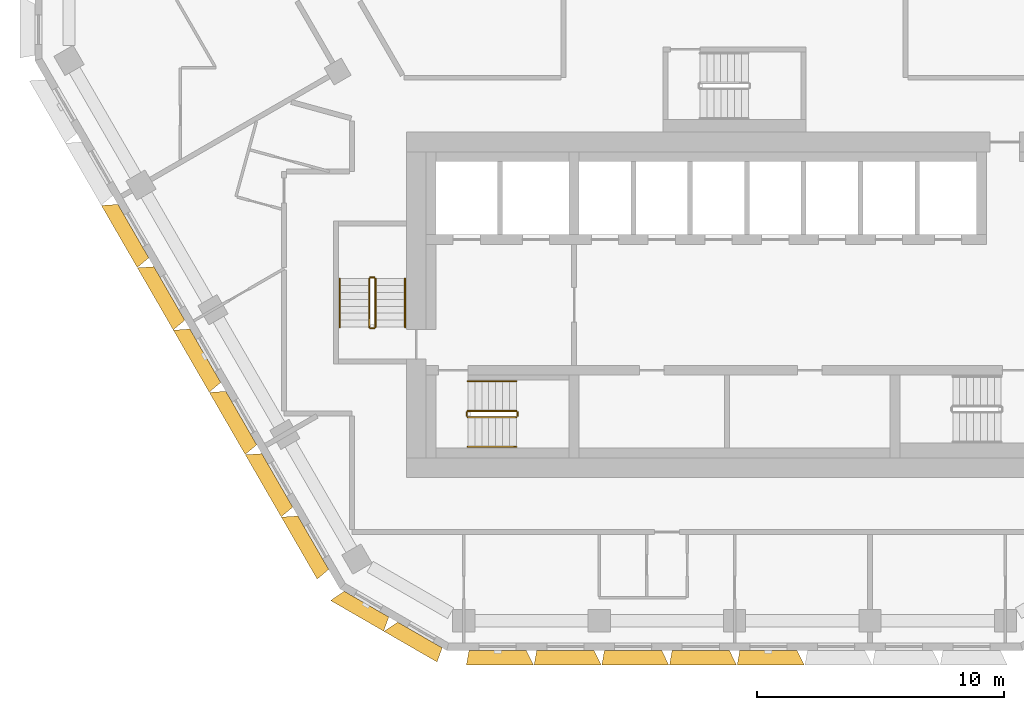
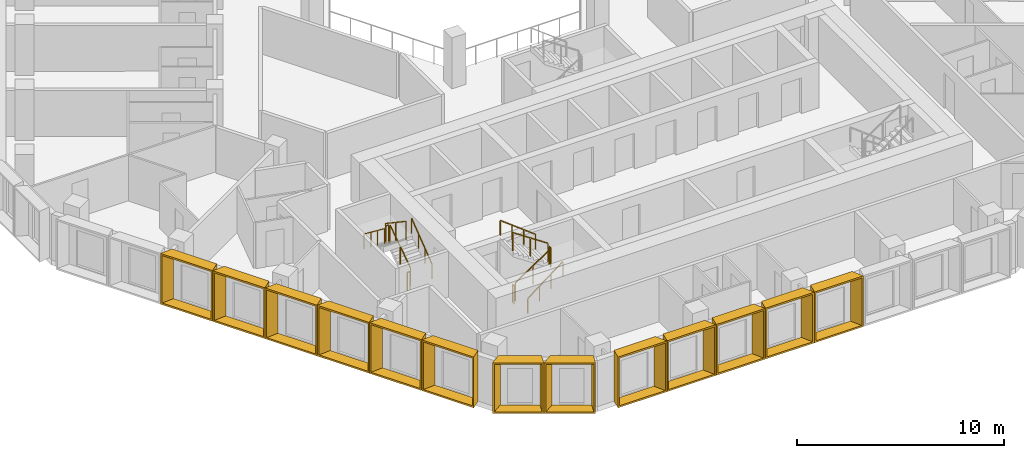
# One storey, part 14 of 17: 13 shading devices, 12 railings.
"""IFC4 building model written with IfcOpenShell, lengths in metres."""

from ifc_helpers import new_model, entity, si_unit, direction, frame, origin, origin_2d, place, context, subcontext, project, spatial, rectangle, extrude, source, transform, mapped, material, type_object, type_shapes, element, save


model = new_model("IFC4")

# Units and contexts
model_context = context("Model", 3, precision=1e-05, world=origin(), true_north=direction((0.0, 1.0)))
body_context = subcontext(model_context, "Body", "Model", "MODEL_VIEW")
ifc_project = project(units=[si_unit("LENGTHUNIT", "METRE"), si_unit("AREAUNIT", "SQUARE_METRE"), si_unit("VOLUMEUNIT", "CUBIC_METRE"), si_unit("PLANEANGLEUNIT", "RADIAN"), si_unit("MASSUNIT", "GRAM", prefix="KILO")], contexts=[model_context])

# Site, building, storey
site_placement = place(None, origin())
site = spatial("IfcSite", under=ifc_project, at=site_placement, CompositionType="ELEMENT")
building_placement = place(site_placement, origin())
building = spatial("IfcBuilding", under=site, at=building_placement, Name="Beryl Residences", CompositionType="ELEMENT")
storey_placement = place(building_placement, frame((0.0, 0.0, 120.60009765625)))
storey = spatial("IfcBuildingStorey", under=building, at=storey_placement, Name="L36", CompositionType="ELEMENT", Elevation=120.60009765625)

# Shading devices
ifc_material_1 = material(Name="Aluminium pale anodised", Category="aluminium")
shading_device_type_1 = type_object("IfcShadingDeviceType", Name="FR250-60B OUTER SKIN frame 600 mm deep, splay 26/10 deg, 2500 x 3000 mm cell", PredefinedType="USERDEFINED", material=ifc_material_1)
cartesian_point_1 = entity("IfcCartesianPoint", [-1.04052734375, 0.0])
cartesian_point_2 = entity("IfcCartesianPoint", [-0.951416015625, 0.10009765625])
cartesian_point_3 = entity("IfcCartesianPoint", [-1.333251953125, 0.0])
cartesian_point_4 = entity("IfcCartesianPoint", [-1.244140625, 0.10009765625])
shared_shape_1 = source(origin(), body_context, "Body", "SweptSolid", [
    entity("IfcExtrudedAreaSolidTapered", entity("IfcArbitraryProfileDefWithVoids", "AREA", None, entity("IfcPolyline", [cartesian_point_1, entity("IfcCartesianPoint", [1.04052734375, 0.0]), entity("IfcCartesianPoint", [1.04052734375, 3.0]), entity("IfcCartesianPoint", [-1.04052734375, 3.0]), cartesian_point_1]), [entity("IfcPolyline", [cartesian_point_2, entity("IfcCartesianPoint", [0.959228515625, 0.10009765625]), entity("IfcCartesianPoint", [0.959228515625, 2.89990234375]), entity("IfcCartesianPoint", [-0.951416015625, 2.89990234375]), cartesian_point_2])]), entity("IfcAxis2Placement3D", entity("IfcCartesianPoint", [0.0, 0.0, 0.0]), entity("IfcDirection", [0.0, 1.0, 0.0]), entity("IfcDirection", [-1.0, 0.0, 0.0])), entity("IfcDirection", [0.0, 0.0, 1.0]), 0.60009765625, entity("IfcArbitraryProfileDefWithVoids", "AREA", None, entity("IfcPolyline", [cartesian_point_3, entity("IfcCartesianPoint", [1.146240234375, 0.0]), entity("IfcCartesianPoint", [1.146240234375, 3.0]), entity("IfcCartesianPoint", [-1.333251953125, 3.0]), cartesian_point_3]), [entity("IfcPolyline", [cartesian_point_4, entity("IfcCartesianPoint", [1.06494140625, 0.10009765625]), entity("IfcCartesianPoint", [1.06494140625, 2.89990234375]), entity("IfcCartesianPoint", [-1.244140625, 2.89990234375]), cartesian_point_4])])),
])
type_shapes(shading_device_type_1, [shared_shape_1])
for number, where, z_axis, x_axis, name in (
    (1, (-14.909912109375, -24.125, 0.0), (0.0, 0.0, 1.0), (-0.866025403784, 0.5, 0.0), "FR250-60B frame L36 SW-S 1"),
    (2, (-12.7451171875, -25.375, 0.0), (0.0, 0.0, 1.0), (-0.866025403784, 0.5, 0.0), "FR250-60B frame L36 SW-S 2"),
):
    element("IfcShadingDevice", number, at=place(storey_placement, frame(where, z_axis=z_axis, x_axis=x_axis)), inside=storey, type_object=shading_device_type_1, Name=name, ObjectType="OUTER SKIN", PredefinedType="USERDEFINED", context=body_context, shape_type="MappedRepresentation", body=[
        mapped(shared_shape_1, transform((0.0, 0.0, 0.0))),
    ])
ifc_material_2 = material(Name="Aluminium pale anodised", Category="aluminium")
shading_device_type_2 = type_object("IfcShadingDeviceType", Name="FR274-60C OUTER SKIN frame 600 mm deep, splay 10/26 deg, 2740 x 3000 mm cell", PredefinedType="USERDEFINED", material=ifc_material_2)
cartesian_point_5 = entity("IfcCartesianPoint", [-1.160400390625, 0.0])
cartesian_point_6 = entity("IfcCartesianPoint", [-1.079345703125, 0.10009765625])
cartesian_point_7 = entity("IfcCartesianPoint", [-1.266357421875, 0.0])
cartesian_point_8 = entity("IfcCartesianPoint", [-1.18505859375, 0.10009765625])
shared_shape_2 = source(origin(), body_context, "Body", "SweptSolid", [
    entity("IfcExtrudedAreaSolidTapered", entity("IfcArbitraryProfileDefWithVoids", "AREA", None, entity("IfcPolyline", [cartesian_point_5, entity("IfcCartesianPoint", [1.160400390625, 0.0]), entity("IfcCartesianPoint", [1.160400390625, 3.0]), entity("IfcCartesianPoint", [-1.160400390625, 3.0]), cartesian_point_5]), [entity("IfcPolyline", [cartesian_point_6, entity("IfcCartesianPoint", [1.071533203125, 0.10009765625]), entity("IfcCartesianPoint", [1.071533203125, 2.89990234375]), entity("IfcCartesianPoint", [-1.079345703125, 2.89990234375]), cartesian_point_6])]), entity("IfcAxis2Placement3D", entity("IfcCartesianPoint", [0.0, 0.0, 0.0]), entity("IfcDirection", [0.0, 1.0, 0.0]), entity("IfcDirection", [-1.0, 0.0, 0.0])), entity("IfcDirection", [0.0, 0.0, 1.0]), 0.60009765625, entity("IfcArbitraryProfileDefWithVoids", "AREA", None, entity("IfcPolyline", [cartesian_point_7, entity("IfcCartesianPoint", [1.453125, 0.0]), entity("IfcCartesianPoint", [1.453125, 3.0]), entity("IfcCartesianPoint", [-1.266357421875, 3.0]), cartesian_point_7]), [entity("IfcPolyline", [cartesian_point_8, entity("IfcCartesianPoint", [1.364013671875, 0.10009765625]), entity("IfcCartesianPoint", [1.364013671875, 2.89990234375]), entity("IfcCartesianPoint", [-1.18505859375, 2.89990234375]), cartesian_point_8])])),
])
type_shapes(shading_device_type_2, [shared_shape_2])
for number, where, z_axis, x_axis, name in (
    (3, (-9.597900390625, -26.0, 0.0), (0.0, 0.0, 1.0), (-1.0, 0.0, 0.0), "FR274-60C frame L36 S 1"),
    (4, (-6.85498046875, -26.0, 0.0), (0.0, 0.0, 1.0), (-1.0, 0.0, 0.0), "FR274-60C frame L36 S 2"),
    (5, (-4.113037109375, -26.0, 0.0), (0.0, 0.0, 1.0), (-1.0, 0.0, 0.0), "FR274-60C frame L36 S 3"),
    (6, (-1.3701171875, -26.0, 0.0), (0.0, 0.0, 1.0), (-1.0, 0.0, 0.0), "FR274-60C frame L36 S 4"),
    (7, (1.3720703125, -26.0, 0.0), (0.0, 0.0, 1.0), (-1.0, 0.0, 0.0), "FR274-60C frame L36 S 5"),
):
    element("IfcShadingDevice", number, at=place(storey_placement, frame(where, z_axis=z_axis, x_axis=x_axis)), inside=storey, type_object=shading_device_type_2, Name=name, ObjectType="OUTER SKIN", PredefinedType="USERDEFINED", context=body_context, shape_type="MappedRepresentation", body=[
        mapped(shared_shape_2, transform((0.0, 0.0, 0.0))),
    ])
ifc_material_3 = material(Name="Aluminium pale anodised", Category="aluminium")
shading_device_type_3 = type_object("IfcShadingDeviceType", Name="FR292-60B OUTER SKIN frame 600 mm deep, splay 26/10 deg, 2920 x 3000 mm cell", PredefinedType="USERDEFINED", material=ifc_material_3)
cartesian_point_9 = entity("IfcCartesianPoint", [-1.25048828125, 0.0])
cartesian_point_10 = entity("IfcCartesianPoint", [-1.161376953125, 0.10009765625])
cartesian_point_11 = entity("IfcCartesianPoint", [-1.543212890625, 0.0])
cartesian_point_12 = entity("IfcCartesianPoint", [-1.4541015625, 0.10009765625])
shared_shape_3 = source(origin(), body_context, "Body", "SweptSolid", [
    entity("IfcExtrudedAreaSolidTapered", entity("IfcArbitraryProfileDefWithVoids", "AREA", None, entity("IfcPolyline", [cartesian_point_9, entity("IfcCartesianPoint", [1.25048828125, 0.0]), entity("IfcCartesianPoint", [1.25048828125, 3.0]), entity("IfcCartesianPoint", [-1.25048828125, 3.0]), cartesian_point_9]), [entity("IfcPolyline", [cartesian_point_10, entity("IfcCartesianPoint", [1.169189453125, 0.10009765625]), entity("IfcCartesianPoint", [1.169189453125, 2.89990234375]), entity("IfcCartesianPoint", [-1.161376953125, 2.89990234375]), cartesian_point_10])]), entity("IfcAxis2Placement3D", entity("IfcCartesianPoint", [0.0, 0.0, 0.0]), entity("IfcDirection", [0.0, 1.0, 0.0]), entity("IfcDirection", [-1.0, 0.0, 0.0])), entity("IfcDirection", [0.0, 0.0, 1.0]), 0.60009765625, entity("IfcArbitraryProfileDefWithVoids", "AREA", None, entity("IfcPolyline", [cartesian_point_11, entity("IfcCartesianPoint", [1.356201171875, 0.0]), entity("IfcCartesianPoint", [1.356201171875, 3.0]), entity("IfcCartesianPoint", [-1.543212890625, 3.0]), cartesian_point_11]), [entity("IfcPolyline", [cartesian_point_12, entity("IfcCartesianPoint", [1.275146484375, 0.10009765625]), entity("IfcCartesianPoint", [1.275146484375, 2.89990234375]), entity("IfcCartesianPoint", [-1.4541015625, 2.89990234375]), cartesian_point_12])])),
])
type_shapes(shading_device_type_3, [shared_shape_3])
for number, where, z_axis, x_axis, name in (
    (8, (-24.35693359375, -9.011962890625, 0.0), (0.0, 0.0, 1.0), (-0.5, 0.866025403784, 0.0), "FR292-60B frame L36 SW 3"),
    (9, (-22.89892578125, -11.537109375, 0.0), (0.0, 0.0, 1.0), (-0.5, 0.866025403784, 0.0), "FR292-60B frame L36 SW 4"),
    (10, (-21.44189453125, -14.06201171875, 0.0), (0.0, 0.0, 1.0), (-0.5, 0.866025403784, 0.0), "FR292-60B frame L36 SW 5"),
    (11, (-19.98388671875, -16.5859375, 0.0), (0.0, 0.0, 1.0), (-0.5, 0.866025403784, 0.0), "FR292-60B frame L36 SW 6"),
    (12, (-18.52587890625, -19.111083984375, 0.0), (0.0, 0.0, 1.0), (-0.5, 0.866025403784, 0.0), "FR292-60B frame L36 SW 7"),
    (13, (-17.068115234375, -21.635986328125, 0.0), (0.0, 0.0, 1.0), (-0.5, 0.866025403784, 0.0), "FR292-60B frame L36 SW 8"),
):
    element("IfcShadingDevice", number, at=place(storey_placement, frame(where, z_axis=z_axis, x_axis=x_axis)), inside=storey, type_object=shading_device_type_3, Name=name, ObjectType="OUTER SKIN", PredefinedType="USERDEFINED", context=body_context, shape_type="MappedRepresentation", body=[
        mapped(shared_shape_3, transform((0.0, 0.0, 0.0))),
    ])

# Railings
ifc_material_4 = material(Name="Stainless steel balustrade with glass infill", Category="steel")
railing_type_1 = type_object("IfcRailingType", Name="SG1 stair guard 1100 mm", PredefinedType="GUARDRAIL", material=ifc_material_4)
railing_1_placement = place(storey_placement, frame((-10.800048828125, -16.550048828125, 0.1875)))
element("IfcRailing", 14, at=railing_1_placement, inside=storey, type_object=railing_type_1, Name="L36 ST-1 stair guard 1", PredefinedType="GUARDRAIL", context=body_context, shape_type="SweptSolid", body=[
    extrude(rectangle(XDim=0.048095703125, YDim=0.048095703125, at=origin_2d()), frame((0.0, 0.0, 1.076171875), z_axis=(0.830902050051, 0.0, 0.556418712142), x_axis=(0.0, 1.0, 0.0)), (0.0, 0.0, 1.0), 2.35888671875),
    extrude(rectangle(XDim=0.0419921875, YDim=0.0419921875, at=origin_2d()), origin(), (0.0, 0.0, 1.0), 1.052001953125),
    extrude(rectangle(XDim=0.0419921875, YDim=0.0419921875, at=origin_2d()), frame((0.97998046875, 0.0, 0.65625)), (0.0, 0.0, 1.0), 1.052001953125),
    extrude(rectangle(XDim=0.0419921875, YDim=0.0419921875, at=origin_2d()), frame((1.9599609375, 0.0, 1.3125)), (0.0, 0.0, 1.0), 1.052001953125),
])
railing_2_placement = place(storey_placement, frame((-8.7900390625, -16.5, 1.5)))
element("IfcRailing", 15, at=railing_2_placement, inside=storey, type_object=railing_type_1, Name="L36 ST-1 stair guard 2", PredefinedType="GUARDRAIL", context=body_context, shape_type="SweptSolid", body=[
    extrude(rectangle(XDim=0.048095703125, YDim=0.048095703125, at=origin_2d()), frame((0.0, 0.0, 1.076171875), z_axis=(0.0, 1.0, 0.0), x_axis=(-1.0, 0.0, 0.0)), (0.0, 0.0, 1.0), 0.14990234375),
    extrude(rectangle(XDim=0.0419921875, YDim=0.0419921875, at=origin_2d()), origin(), (0.0, 0.0, 1.0), 1.052001953125),
    extrude(rectangle(XDim=0.0419921875, YDim=0.0419921875, at=origin_2d()), frame((0.0, 0.14990234375, 0.0)), (0.0, 0.0, 1.0), 1.052001953125),
])
railing_3_placement = place(storey_placement, frame((-8.840087890625, -16.300048828125, 1.6875)))
element("IfcRailing", 16, at=railing_3_placement, inside=storey, type_object=railing_type_1, Name="L36 ST-1 stair guard 3", PredefinedType="GUARDRAIL", context=body_context, shape_type="SweptSolid", body=[
    extrude(rectangle(XDim=0.048095703125, YDim=0.048095703125, at=origin_2d()), frame((0.0, 0.0, 1.076171875), z_axis=(-0.830902050051, 0.0, 0.556418712142), x_axis=(0.0, -1.0, 0.0)), (0.0, 0.0, 1.0), 2.35888671875),
    extrude(rectangle(XDim=0.0419921875, YDim=0.0419921875, at=origin_2d()), origin(), (0.0, 0.0, 1.0), 1.052001953125),
    extrude(rectangle(XDim=0.0419921875, YDim=0.0419921875, at=origin_2d()), frame((-0.97998046875, 0.0, 0.65625)), (0.0, 0.0, 1.0), 1.052001953125),
    extrude(rectangle(XDim=0.0419921875, YDim=0.0419921875, at=origin_2d()), frame((-1.9599609375, 0.0, 1.3125)), (0.0, 0.0, 1.0), 1.052001953125),
])
railing_4_placement = place(storey_placement, frame((-10.85009765625, -16.5, 0.0)))
element("IfcRailing", 17, at=railing_4_placement, inside=storey, type_object=railing_type_1, Name="L36 ST-1 stair guard 4", PredefinedType="GUARDRAIL", context=body_context, shape_type="SweptSolid", body=[
    extrude(rectangle(XDim=0.048095703125, YDim=0.048095703125, at=origin_2d()), frame((0.0, 0.0, 1.076171875), z_axis=(0.0, 1.0, 0.0), x_axis=(-1.0, 0.0, 0.0)), (0.0, 0.0, 1.0), 0.14990234375),
    extrude(rectangle(XDim=0.0419921875, YDim=0.0419921875, at=origin_2d()), origin(), (0.0, 0.0, 1.0), 1.052001953125),
    extrude(rectangle(XDim=0.0419921875, YDim=0.0419921875, at=origin_2d()), frame((0.0, 0.14990234375, 0.0)), (0.0, 0.0, 1.0), 1.052001953125),
])
railing_5_placement = place(storey_placement, frame((-14.550048828125, -12.89990234375, 0.1875)))
element("IfcRailing", 18, at=railing_5_placement, inside=storey, type_object=railing_type_1, Name="L36 ST-2 stair guard 1", PredefinedType="GUARDRAIL", context=body_context, shape_type="SweptSolid", body=[
    extrude(rectangle(XDim=0.048095703125, YDim=0.048095703125, at=origin_2d()), frame((0.0, 0.0, 1.076171875), z_axis=(0.0, 0.830902050051, 0.556418712142), x_axis=(-1.0, 0.0, 0.0)), (0.0, 0.0, 1.0), 2.35888671875),
    extrude(rectangle(XDim=0.0419921875, YDim=0.0419921875, at=origin_2d()), origin(), (0.0, 0.0, 1.0), 1.052001953125),
    extrude(rectangle(XDim=0.0419921875, YDim=0.0419921875, at=origin_2d()), frame((0.0, 0.97998046875, 0.65625)), (0.0, 0.0, 1.0), 1.052001953125),
    extrude(rectangle(XDim=0.0419921875, YDim=0.0419921875, at=origin_2d()), frame((0.0, 1.9599609375, 1.3125)), (0.0, 0.0, 1.0), 1.052001953125),
])
railing_6_placement = place(storey_placement, frame((-14.60009765625, -10.889892578125, 1.5)))
element("IfcRailing", 19, at=railing_6_placement, inside=storey, type_object=railing_type_1, Name="L36 ST-2 stair guard 2", PredefinedType="GUARDRAIL", context=body_context, shape_type="SweptSolid", body=[
    extrude(rectangle(XDim=0.048095703125, YDim=0.048095703125, at=origin_2d()), frame((0.0, 0.0, 1.076171875), z_axis=(-1.0, 0.0, 0.0), x_axis=(0.0, -1.0, 0.0)), (0.0, 0.0, 1.0), 0.14990234375),
    extrude(rectangle(XDim=0.0419921875, YDim=0.0419921875, at=origin_2d()), origin(), (0.0, 0.0, 1.0), 1.052001953125),
    extrude(rectangle(XDim=0.0419921875, YDim=0.0419921875, at=origin_2d()), frame((-0.14990234375, 0.0, 0.0)), (0.0, 0.0, 1.0), 1.052001953125),
])
railing_7_placement = place(storey_placement, frame((-14.800048828125, -10.93994140625, 1.6875)))
element("IfcRailing", 20, at=railing_7_placement, inside=storey, type_object=railing_type_1, Name="L36 ST-2 stair guard 3", PredefinedType="GUARDRAIL", context=body_context, shape_type="SweptSolid", body=[
    extrude(rectangle(XDim=0.048095703125, YDim=0.048095703125, at=origin_2d()), frame((0.0, 0.0, 1.076171875), z_axis=(0.0, -0.830902050051, 0.556418712142), x_axis=(1.0, 0.0, 0.0)), (0.0, 0.0, 1.0), 2.35888671875),
    extrude(rectangle(XDim=0.0419921875, YDim=0.0419921875, at=origin_2d()), origin(), (0.0, 0.0, 1.0), 1.052001953125),
    extrude(rectangle(XDim=0.0419921875, YDim=0.0419921875, at=origin_2d()), frame((0.0, -0.97998046875, 0.65625)), (0.0, 0.0, 1.0), 1.052001953125),
    extrude(rectangle(XDim=0.0419921875, YDim=0.0419921875, at=origin_2d()), frame((0.0, -1.9599609375, 1.3125)), (0.0, 0.0, 1.0), 1.052001953125),
])
railing_8_placement = place(storey_placement, frame((-14.60009765625, -12.949951171875, 0.0)))
element("IfcRailing", 21, at=railing_8_placement, inside=storey, type_object=railing_type_1, Name="L36 ST-2 stair guard 4", PredefinedType="GUARDRAIL", context=body_context, shape_type="SweptSolid", body=[
    extrude(rectangle(XDim=0.048095703125, YDim=0.048095703125, at=origin_2d()), frame((0.0, 0.0, 1.076171875), z_axis=(-1.0, 0.0, 0.0), x_axis=(0.0, -1.0, 0.0)), (0.0, 0.0, 1.0), 0.14990234375),
    extrude(rectangle(XDim=0.0419921875, YDim=0.0419921875, at=origin_2d()), origin(), (0.0, 0.0, 1.0), 1.052001953125),
    extrude(rectangle(XDim=0.0419921875, YDim=0.0419921875, at=origin_2d()), frame((-0.14990234375, 0.0, 0.0)), (0.0, 0.0, 1.0), 1.052001953125),
])
ifc_material_5 = material(Name="Stainless steel handrail", Category="steel")
railing_type_2 = type_object("IfcRailingType", Name="SRL1 stair handrail 900 mm", PredefinedType="HANDRAIL", material=ifc_material_5)
railing_9_placement = place(storey_placement, frame((-10.800048828125, -17.75, 0.1875)))
element("IfcRailing", 22, at=railing_9_placement, inside=storey, type_object=railing_type_2, Name="L36 ST-1 stair handrail 1", PredefinedType="HANDRAIL", context=body_context, shape_type="SweptSolid", body=[
    extrude(rectangle(XDim=0.048095703125, YDim=0.048095703125, at=origin_2d()), frame((0.0, 0.0, 0.8759765625), z_axis=(0.794121922505, 0.0, 0.607758481798), x_axis=(0.0, 1.0, 0.0)), (0.0, 0.0, 1.0), 2.468017578125),
    extrude(rectangle(XDim=0.0419921875, YDim=0.0419921875, at=origin_2d()), origin(), (0.0, 0.0, 1.0), 0.851806640625),
    extrude(rectangle(XDim=0.0419921875, YDim=0.0419921875, at=origin_2d()), frame((0.6533203125, 0.0, 0.5)), (0.0, 0.0, 1.0), 0.851806640625),
    extrude(rectangle(XDim=0.0419921875, YDim=0.0419921875, at=origin_2d()), frame((1.306640625, 0.0, 1.0)), (0.0, 0.0, 1.0), 0.851806640625),
    extrude(rectangle(XDim=0.0419921875, YDim=0.0419921875, at=origin_2d()), frame((1.9599609375, 0.0, 1.5)), (0.0, 0.0, 1.0), 0.851806640625),
])
railing_10_placement = place(storey_placement, frame((-8.840087890625, -15.10009765625, 1.6875)))
element("IfcRailing", 23, at=railing_10_placement, inside=storey, type_object=railing_type_2, Name="L36 ST-1 stair handrail 2", PredefinedType="HANDRAIL", context=body_context, shape_type="SweptSolid", body=[
    extrude(rectangle(XDim=0.048095703125, YDim=0.048095703125, at=origin_2d()), frame((0.0, 0.0, 0.8759765625), z_axis=(-0.794121922505, 0.0, 0.607758481798), x_axis=(0.0, -1.0, 0.0)), (0.0, 0.0, 1.0), 2.468017578125),
    extrude(rectangle(XDim=0.0419921875, YDim=0.0419921875, at=origin_2d()), origin(), (0.0, 0.0, 1.0), 0.851806640625),
    extrude(rectangle(XDim=0.0419921875, YDim=0.0419921875, at=origin_2d()), frame((-0.6533203125, 0.0, 0.5)), (0.0, 0.0, 1.0), 0.851806640625),
    extrude(rectangle(XDim=0.0419921875, YDim=0.0419921875, at=origin_2d()), frame((-1.306640625, 0.0, 1.0)), (0.0, 0.0, 1.0), 0.851806640625),
    extrude(rectangle(XDim=0.0419921875, YDim=0.0419921875, at=origin_2d()), frame((-1.9599609375, 0.0, 1.5)), (0.0, 0.0, 1.0), 0.851806640625),
])
railing_11_placement = place(storey_placement, frame((-13.35009765625, -12.89990234375, 0.1875)))
element("IfcRailing", 24, at=railing_11_placement, inside=storey, type_object=railing_type_2, Name="L36 ST-2 stair handrail 1", PredefinedType="HANDRAIL", context=body_context, shape_type="SweptSolid", body=[
    extrude(rectangle(XDim=0.048095703125, YDim=0.048095703125, at=origin_2d()), frame((0.0, 0.0, 0.8759765625), z_axis=(0.0, 0.794121922505, 0.607758481798), x_axis=(-1.0, 0.0, 0.0)), (0.0, 0.0, 1.0), 2.468017578125),
    extrude(rectangle(XDim=0.0419921875, YDim=0.0419921875, at=origin_2d()), origin(), (0.0, 0.0, 1.0), 0.851806640625),
    extrude(rectangle(XDim=0.0419921875, YDim=0.0419921875, at=origin_2d()), frame((0.0, 0.6533203125, 0.5)), (0.0, 0.0, 1.0), 0.851806640625),
    extrude(rectangle(XDim=0.0419921875, YDim=0.0419921875, at=origin_2d()), frame((0.0, 1.306640625, 1.0)), (0.0, 0.0, 1.0), 0.851806640625),
    extrude(rectangle(XDim=0.0419921875, YDim=0.0419921875, at=origin_2d()), frame((0.0, 1.9599609375, 1.5)), (0.0, 0.0, 1.0), 0.851806640625),
])
railing_12_placement = place(storey_placement, frame((-16.0, -10.93994140625, 1.6875)))
element("IfcRailing", 25, at=railing_12_placement, inside=storey, type_object=railing_type_2, Name="L36 ST-2 stair handrail 2", PredefinedType="HANDRAIL", context=body_context, shape_type="SweptSolid", body=[
    extrude(rectangle(XDim=0.048095703125, YDim=0.048095703125, at=origin_2d()), frame((0.0, 0.0, 0.8759765625), z_axis=(0.0, -0.794121922505, 0.607758481798), x_axis=(1.0, 0.0, 0.0)), (0.0, 0.0, 1.0), 2.468017578125),
    extrude(rectangle(XDim=0.0419921875, YDim=0.0419921875, at=origin_2d()), origin(), (0.0, 0.0, 1.0), 0.851806640625),
    extrude(rectangle(XDim=0.0419921875, YDim=0.0419921875, at=origin_2d()), frame((0.0, -0.6533203125, 0.5)), (0.0, 0.0, 1.0), 0.851806640625),
    extrude(rectangle(XDim=0.0419921875, YDim=0.0419921875, at=origin_2d()), frame((0.0, -1.306640625, 1.0)), (0.0, 0.0, 1.0), 0.851806640625),
    extrude(rectangle(XDim=0.0419921875, YDim=0.0419921875, at=origin_2d()), frame((0.0, -1.9599609375, 1.5)), (0.0, 0.0, 1.0), 0.851806640625),
])

save(model, "model.ifc")
